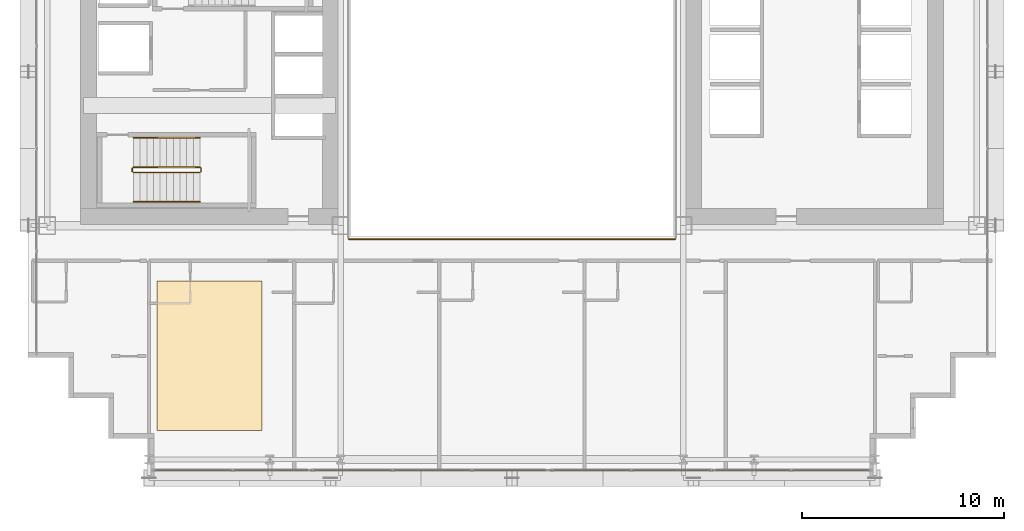
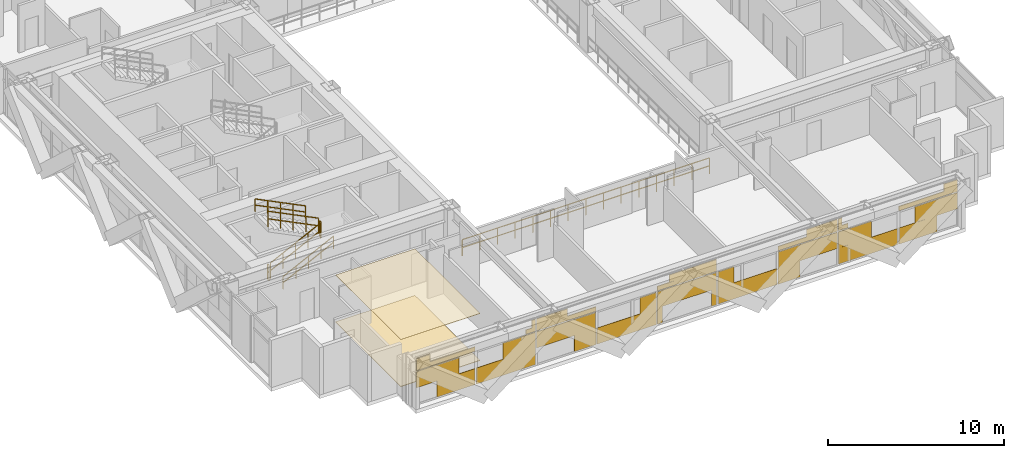
# One storey, part 32 of 35: 7 railings, 3 coverings.
"""IFC4 building model written with IfcOpenShell, lengths in metres."""

import ifcopenshell
import ifcopenshell.guid

model = None  # the IFC model being written
_history = None  # IfcOwnerHistory: only IFC2X3 demands one
_inside = {}  # id of a spatial element -> (the spatial element, [elements in it])
_under = {}  # id of a project, library or spatial element -> (it, [spatial elements below it])
_declared = {}  # id of a project -> (the project, [libraries it declares])
_typed = {}  # id of a type object -> (the type object, [elements of that type])
_made_of = {}  # id of a material, layer set ... -> (it, [elements and type objects made of it])


def new_model(schema):
    """Start an empty IFC model of exactly this schema.

    Asked for "IFC4X3", IfcOpenShell would pick the latest addendum, in which some entities
    have other attributes; the version numbers below select the first issue.
    IFC2X3 requires an IfcOwnerHistory on every rooted entity: one is made here for all.
    """
    global model, _history
    if schema == "IFC4X3":
        model = ifcopenshell.file(schema_version=(4, 3, 0, 0))
    else:
        model = ifcopenshell.file(schema=schema)
    _inside.clear()
    _under.clear()
    _declared.clear()
    _typed.clear()
    _made_of.clear()
    _history = None
    if model.schema == "IFC2X3":
        org = make("IfcOrganization", Name="unknown")
        user = make(
            "IfcPersonAndOrganization",
            ThePerson=make("IfcPerson", FamilyName="unknown"),
            TheOrganization=org,
        )
        app = make(
            "IfcApplication",
            ApplicationDeveloper=org,
            Version="unknown",
            ApplicationFullName="unknown",
            ApplicationIdentifier="unknown",
        )
        _history = make(
            "IfcOwnerHistory",
            OwningUser=user,
            OwningApplication=app,
            ChangeAction="ADDED",
            CreationDate=0,
        )
    return model


def make(cls, **values):
    """One entity of the class cls with the attributes given. An attribute that is None is left unset."""
    return model.create_entity(
        cls, **{name: value for name, value in values.items() if value is not None}
    )


def rooted(cls, **values):
    """An entity with a GlobalId (a new one), such as an element, a storey or a relation."""
    return make(cls, GlobalId=ifcopenshell.guid.new(), OwnerHistory=_history, **values)


def si_unit(unit_type, name, prefix=None):
    """IfcSIUnit, for example si_unit("LENGTHUNIT", "METRE", prefix="MILLI")."""
    return make("IfcSIUnit", UnitType=unit_type, Prefix=prefix, Name=name)


def assignment(units):
    """IfcUnitAssignment: the units of a project."""
    return None if units is None else make("IfcUnitAssignment", Units=units)


def point(xyz):
    """IfcCartesianPoint."""
    return None if xyz is None else make("IfcCartesianPoint", Coordinates=xyz)


def direction(xyz):
    """IfcDirection."""
    return None if xyz is None else make("IfcDirection", DirectionRatios=xyz)


def frame(location, z_axis=None, x_axis=None):
    """IfcAxis2Placement3D, a coordinate frame: its origin and axes. An axis left out is left unset."""
    return make(
        "IfcAxis2Placement3D",
        Location=point(location),
        Axis=direction(z_axis),
        RefDirection=direction(x_axis),
    )


def frame_2d(location, x_axis=None):
    """IfcAxis2Placement2D, a coordinate frame in the plane: its origin and x axis."""
    return make(
        "IfcAxis2Placement2D", Location=point(location), RefDirection=direction(x_axis)
    )


def origin():
    """The frame at (0, 0, 0) with its axes left unset."""
    return frame((0.0, 0.0, 0.0))


def origin_2d():
    """The frame at (0, 0) in the plane with its x axis left unset."""
    return frame_2d((0.0, 0.0))


def place(relative_to, where):
    """IfcLocalPlacement: puts the frame where relative to a parent placement (None: the world)."""
    return make(
        "IfcLocalPlacement", PlacementRelTo=relative_to, RelativePlacement=where
    )


def context(
    kind, dimensions, precision=None, world=None, true_north=None, identifier=None
):
    """IfcGeometricRepresentationContext, for example the 3D "Model" context."""
    return make(
        "IfcGeometricRepresentationContext",
        ContextIdentifier=identifier,
        ContextType=kind,
        CoordinateSpaceDimension=dimensions,
        Precision=precision,
        WorldCoordinateSystem=world,
        TrueNorth=true_north,
    )


def subcontext(parent, identifier, kind, view, scale=None):
    """IfcGeometricRepresentationSubContext, for example "Body" below "Model"."""
    return make(
        "IfcGeometricRepresentationSubContext",
        ContextIdentifier=identifier,
        ContextType=kind,
        ParentContext=parent,
        TargetScale=scale,
        TargetView=view,
    )


def project(units=None, contexts=None):
    """IfcProject with its units and contexts."""
    return rooted(
        "IfcProject",
        Name="project",
        RepresentationContexts=contexts,
        UnitsInContext=assignment(units),
    )


def spatial(cls, under=None, at=None, **own):
    """A site, building, storey or space (cls), placed at a placement, below another one or the project."""
    s = rooted(cls, ObjectPlacement=at, **own)
    if under is not None:
        _under.setdefault(under.id(), (under, []))[1].append(s)
    return s


def polyline(points):
    """IfcPolyline through the points."""
    return make("IfcPolyline", Points=[point(p) for p in points])


def profile(cls, at=None, kind="AREA", **sizes):
    """A parametric profile (cls). Its sizes go by their IFC names, for example OverallWidth=200.0."""
    return make(cls, ProfileType=kind, Position=at, **sizes)


def rectangle(**sizes):
    """IfcRectangleProfileDef."""
    return profile("IfcRectangleProfileDef", **sizes)


def outline(outer, holes=None, kind="AREA"):
    """IfcArbitraryClosedProfileDef: a profile drawn as a closed curve; with holes, ...WithVoids."""
    if holes is None:
        return make("IfcArbitraryClosedProfileDef", ProfileType=kind, OuterCurve=outer)
    return make(
        "IfcArbitraryProfileDefWithVoids",
        ProfileType=kind,
        OuterCurve=outer,
        InnerCurves=holes,
    )


def extrude(swept, where, along, depth):
    """IfcExtrudedAreaSolid: the profile swept, set in the frame where, extruded along a direction by depth."""
    return make(
        "IfcExtrudedAreaSolid",
        SweptArea=swept,
        Position=where,
        ExtrudedDirection=direction(along),
        Depth=depth,
    )


def shape(context_of_items, identifier, shape_type, items):
    """IfcShapeRepresentation: the items that make up one representation, for example the "Body"."""
    return make(
        "IfcShapeRepresentation",
        ContextOfItems=context_of_items,
        RepresentationIdentifier=identifier,
        RepresentationType=shape_type,
        Items=items,
    )


def material(Name=None, Category=None):
    """IfcMaterial."""
    return make("IfcMaterial", Name=Name, Category=Category)


def layer(
    of_material, thickness, ventilated=None, Name=None, Category=None, Priority=None
):
    """IfcMaterialLayer: one layer of a wall or slab, of a material (None: an air gap)."""
    return make(
        "IfcMaterialLayer",
        Material=of_material,
        LayerThickness=thickness,
        IsVentilated=ventilated,
        Name=Name,
        Category=Category,
        Priority=Priority,
    )


def layer_set(layers, Name=None):
    """IfcMaterialLayerSet."""
    return make("IfcMaterialLayerSet", MaterialLayers=layers, LayerSetName=Name)


def made_of(thing, what):
    """Note that an element or type object is made of a material, layer set ...; save() writes the relation."""
    if what is not None:
        _made_of.setdefault(what.id(), (what, []))[1].append(thing)
    return thing


def type_object(cls, material=None, **own):
    """A type object (cls), such as IfcWallType, which elements share."""
    return made_of(rooted(cls, **own), material)


def element(
    cls,
    number,
    at=None,
    inside=None,
    cuts=None,
    type_object=None,
    material=None,
    context=None,
    identifier="Body",
    shape_type=None,
    held_by="IfcProductDefinitionShape",
    body=None,
    shapes=None,
    **own,
):
    """One element of the class cls, such as IfcWall. Its Tag is "e" and its number.

    at: its placement. inside: the storey or other place that contains it. cuts: it is an
    opening in that element (IfcRelVoidsElement). A single representation is given by context,
    identifier, shape_type and body (its items); several are given by shapes. held_by: the class
    of the entity that holds the representations. save() writes the other relations.
    """
    e = rooted(cls, Tag="e%d" % number, ObjectPlacement=at, **own)
    if body is not None:
        shapes = [shape(context, identifier, shape_type, body)]
    if shapes is not None:
        e.Representation = make(held_by, Representations=shapes)
    if inside is not None:
        _inside.setdefault(inside.id(), (inside, []))[1].append(e)
    if cuts is not None:
        rooted(
            "IfcRelVoidsElement", RelatingBuildingElement=cuts, RelatedOpeningElement=e
        )
    if type_object is not None:
        _typed.setdefault(type_object.id(), (type_object, []))[1].append(e)
    return made_of(e, material)


def aggregate(whole, parts):
    """IfcRelAggregates: a whole, such as a stair, and the parts it consists of."""
    return rooted("IfcRelAggregates", RelatingObject=whole, RelatedObjects=parts)


def save(model, path):
    """Write the relations noted so far, then the file.

    IfcRelAggregates (storeys below a building ...), IfcRelContainedInSpatialStructure (elements
    in a storey), IfcRelDefinesByType, IfcRelAssociatesMaterial and IfcRelDeclares: one each for
    every whole, place, type object, material and project.
    """
    for whole, parts in _under.values():
        aggregate(whole, parts)
    for where, things in _inside.values():
        rooted(
            "IfcRelContainedInSpatialStructure",
            RelatedElements=things,
            RelatingStructure=where,
        )
    for kind, things in _typed.values():
        rooted("IfcRelDefinesByType", RelatedObjects=things, RelatingType=kind)
    for what, things in _made_of.values():
        rooted("IfcRelAssociatesMaterial", RelatedObjects=things, RelatingMaterial=what)
    for by, libraries in _declared.values():
        rooted("IfcRelDeclares", RelatingContext=by, RelatedDefinitions=libraries)
    model.write(path)


model = new_model("IFC4")

# Units and contexts
model_context = context("Model", 3, precision=1e-05, world=origin(), true_north=direction((0.0, 1.0)))
body_context = subcontext(model_context, "Body", "Model", "MODEL_VIEW")
ifc_project = project(units=[si_unit("LENGTHUNIT", "METRE"), si_unit("AREAUNIT", "SQUARE_METRE"), si_unit("VOLUMEUNIT", "CUBIC_METRE"), si_unit("PLANEANGLEUNIT", "RADIAN"), si_unit("MASSUNIT", "GRAM", prefix="KILO")], contexts=[model_context])

# Site, building, storey
site_placement = place(None, origin())
site = spatial("IfcSite", under=ifc_project, at=site_placement, CompositionType="ELEMENT")
building_placement = place(site_placement, origin())
building = spatial("IfcBuilding", under=site, at=building_placement, Name="Ocotamira Hotel", CompositionType="ELEMENT")
storey_placement = place(building_placement, frame((0.0, 0.0, 81.60009765625)))
storey = spatial("IfcBuildingStorey", under=building, at=storey_placement, Name="L20", CompositionType="ELEMENT", Elevation=81.60009765625)

# Coverings
ifc_material_1 = material(Name="Perforated acoustic gypsum ceiling board", Category="gypsum")
ifc_layer_1 = layer(ifc_material_1, 0.02490234375)
ifc_layer_set_1 = layer_set([ifc_layer_1], Name="Perforated acoustic gypsum ceiling board")
covering_type_1 = type_object("IfcCoveringType", Name="COV-CEIL-25", PredefinedType="CEILING", material=ifc_layer_set_1)
covering_1_placement = place(storey_placement, frame((0.0, 0.0, 3.2548828125)))
element("IfcCovering", 1, at=covering_1_placement, inside=storey, type_object=covering_type_1, Name="L20 Acoustic Ceiling", PredefinedType="CEILING", context=body_context, shape_type="SweptSolid", body=[
    extrude(outline(polyline([(14.39990234375, 4.39990234375), (19.60009765625, 4.39990234375), (19.60009765625, 11.800048828125), (14.39990234375, 11.800048828125), (14.39990234375, 4.39990234375)])), origin(), (0.0, 0.0, 1.0), 0.02490234375),
])
ifc_material_2 = material(Name="Honed desert travertine stone flooring", Category="masonry")
ifc_layer_2 = layer(ifc_material_2, 0.030029296875)
ifc_layer_set_2 = layer_set([ifc_layer_2], Name="Honed desert travertine stone flooring")
covering_type_2 = type_object("IfcCoveringType", Name="COV-FLOR-30", PredefinedType="FLOORING", material=ifc_layer_set_2)
covering_2_placement = place(storey_placement, origin())
element("IfcCovering", 2, at=covering_2_placement, inside=storey, type_object=covering_type_2, Name="L20 Honed Stone Floor Finish", PredefinedType="FLOORING", context=body_context, shape_type="SweptSolid", body=[
    extrude(outline(polyline([(14.39990234375, 4.39990234375), (19.60009765625, 4.39990234375), (19.60009765625, 11.800048828125), (14.39990234375, 11.800048828125), (14.39990234375, 4.39990234375)])), origin(), (0.0, 0.0, 1.0), 0.02978515625),
])
ifc_material_3 = material(Name="Insulated pale-metal aluminium spandrel panel", Category="aluminium")
ifc_layer_3 = layer(ifc_material_3, 0.044921875)
ifc_layer_set_3 = layer_set([ifc_layer_3], Name="Insulated pale-metal aluminium spandrel panel")
covering_type_3 = type_object("IfcCoveringType", Name="COV-INFILL-45", PredefinedType="CLADDING", material=ifc_layer_set_3)
covering_3_placement = place(storey_placement, origin())
element("IfcCovering", 3, at=covering_3_placement, inside=storey, type_object=covering_type_3, Name="L20 Curtain Wall Infill CW-2 CW-L20-S1", PredefinedType="CLADDING", context=body_context, shape_type="SweptSolid", body=[
    extrude(rectangle(XDim=2.788818359375, YDim=0.044921875, at=origin_2d()), frame((15.675048828125, 2.419921875, 1.194091796875), z_axis=(0.0, 0.0, 1.0), x_axis=(1.0, 0.0, 0.0)), (0.0, 0.0, 1.0), 1.11767578125),
    extrude(rectangle(XDim=2.502685546875, YDim=0.044921875, at=origin_2d()), frame((16.863525390625, 2.419921875, 0.0751953125), z_axis=(0.0, 0.0, 1.0), x_axis=(1.0, 0.0, 0.0)), (0.0, 0.0, 1.0), 1.117919921875),
    extrude(rectangle(XDim=3.834716796875, YDim=0.044921875, at=origin_2d()), frame((16.19775390625, 2.419921875, 2.3876953125), z_axis=(0.0, 0.0, 1.0), x_axis=(1.0, 0.0, 0.0)), (0.0, 0.0, 1.0), 0.302978515625),
    extrude(rectangle(XDim=0.8798828125, YDim=0.044921875, at=origin_2d()), frame((14.720458984375, 2.419921875, 2.691650390625), z_axis=(0.0, 0.0, 1.0), x_axis=(1.0, 0.0, 0.0)), (0.0, 0.0, 1.0), 0.5126953125),
    extrude(rectangle(XDim=3.87451171875, YDim=0.044921875, at=origin_2d()), frame((20.13330078125, 2.419921875, 0.0751953125), z_axis=(0.0, 0.0, 1.0), x_axis=(1.0, 0.0, 0.0)), (0.0, 0.0, 1.0), 1.117919921875),
    extrude(rectangle(XDim=2.139892578125, YDim=0.044921875, at=origin_2d()), frame((21.00048828125, 2.419921875, 1.194091796875), z_axis=(0.0, 0.0, 1.0), x_axis=(1.0, 0.0, 0.0)), (0.0, 0.0, 1.0), 1.11767578125),
    extrude(rectangle(XDim=0.618408203125, YDim=0.044921875, at=origin_2d()), frame((21.761474609375, 2.419921875, 2.3876953125), z_axis=(0.0, 0.0, 1.0), x_axis=(1.0, 0.0, 0.0)), (0.0, 0.0, 1.0), 0.302978515625),
    extrude(rectangle(XDim=0.23095703125, YDim=0.044921875, at=origin_2d()), frame((21.955078125, 2.419921875, 2.691650390625), z_axis=(0.0, 0.0, 1.0), x_axis=(1.0, 0.0, 0.0)), (0.0, 0.0, 1.0), 0.5126953125),
    extrude(rectangle(XDim=3.87451171875, YDim=0.044921875, at=origin_2d()), frame((24.0888671875, 2.419921875, 1.194091796875), z_axis=(0.0, 0.0, 1.0), x_axis=(1.0, 0.0, 0.0)), (0.0, 0.0, 1.0), 1.11767578125),
    extrude(rectangle(XDim=1.413818359375, YDim=0.044921875, at=origin_2d()), frame((25.319091796875, 2.419921875, 0.0751953125), z_axis=(0.0, 0.0, 1.0), x_axis=(1.0, 0.0, 0.0)), (0.0, 0.0, 1.0), 1.117919921875),
    extrude(rectangle(XDim=3.87451171875, YDim=0.044921875, at=origin_2d()), frame((24.0888671875, 2.419921875, 2.3876953125), z_axis=(0.0, 0.0, 1.0), x_axis=(1.0, 0.0, 0.0)), (0.0, 0.0, 1.0), 0.302978515625),
    extrude(rectangle(XDim=2.0087890625, YDim=0.044921875, at=origin_2d()), frame((23.156005859375, 2.419921875, 2.691650390625), z_axis=(0.0, 0.0, 1.0), x_axis=(1.0, 0.0, 0.0)), (0.0, 0.0, 1.0), 0.5126953125),
    extrude(rectangle(XDim=3.87451171875, YDim=0.044921875, at=origin_2d()), frame((28.04443359375, 2.419921875, 0.0751953125), z_axis=(0.0, 0.0, 1.0), x_axis=(1.0, 0.0, 0.0)), (0.0, 0.0, 1.0), 1.117919921875),
    extrude(rectangle(XDim=1.051025390625, YDim=0.044921875, at=origin_2d()), frame((29.4560546875, 2.419921875, 1.194091796875), z_axis=(0.0, 0.0, 1.0), x_axis=(1.0, 0.0, 0.0)), (0.0, 0.0, 1.0), 1.11767578125),
    extrude(rectangle(XDim=0.324951171875, YDim=0.044921875, at=origin_2d()), frame((30.22509765625, 2.419921875, 0.0751953125), z_axis=(0.0, 0.0, 1.0), x_axis=(1.0, 0.0, 0.0)), (0.0, 0.0, 1.0), 1.117919921875),
    extrude(rectangle(XDim=3.87451171875, YDim=0.044921875, at=origin_2d()), frame((32.0, 2.419921875, 1.194091796875), z_axis=(0.0, 0.0, 1.0), x_axis=(1.0, 0.0, 0.0)), (0.0, 0.0, 1.0), 1.11767578125),
    extrude(rectangle(XDim=0.324951171875, YDim=0.044921875, at=origin_2d()), frame((33.77490234375, 2.419921875, 0.0751953125), z_axis=(0.0, 0.0, 1.0), x_axis=(1.0, 0.0, 0.0)), (0.0, 0.0, 1.0), 1.117919921875),
    extrude(rectangle(XDim=3.87451171875, YDim=0.044921875, at=origin_2d()), frame((32.0, 2.419921875, 2.3876953125), z_axis=(0.0, 0.0, 1.0), x_axis=(1.0, 0.0, 0.0)), (0.0, 0.0, 1.0), 0.302978515625),
    extrude(rectangle(XDim=3.09765625, YDim=0.044921875, at=origin_2d()), frame((32.388427734375, 2.419921875, 2.691650390625), z_axis=(0.0, 0.0, 1.0), x_axis=(1.0, 0.0, 0.0)), (0.0, 0.0, 1.0), 0.5126953125),
    extrude(rectangle(XDim=3.87451171875, YDim=0.044921875, at=origin_2d()), frame((35.95556640625, 2.419921875, 0.0751953125), z_axis=(0.0, 0.0, 1.0), x_axis=(1.0, 0.0, 0.0)), (0.0, 0.0, 1.0), 1.117919921875),
    extrude(rectangle(XDim=1.051025390625, YDim=0.044921875, at=origin_2d()), frame((34.5439453125, 2.419921875, 1.194091796875), z_axis=(0.0, 0.0, 1.0), x_axis=(1.0, 0.0, 0.0)), (0.0, 0.0, 1.0), 1.11767578125),
    extrude(rectangle(XDim=1.413818359375, YDim=0.044921875, at=origin_2d()), frame((38.680908203125, 2.419921875, 0.0751953125), z_axis=(0.0, 0.0, 1.0), x_axis=(1.0, 0.0, 0.0)), (0.0, 0.0, 1.0), 1.117919921875),
    extrude(rectangle(XDim=3.87451171875, YDim=0.044921875, at=origin_2d()), frame((39.9111328125, 2.419921875, 1.194091796875), z_axis=(0.0, 0.0, 1.0), x_axis=(1.0, 0.0, 0.0)), (0.0, 0.0, 1.0), 1.11767578125),
    extrude(rectangle(XDim=3.87451171875, YDim=0.044921875, at=origin_2d()), frame((39.9111328125, 2.419921875, 2.3876953125), z_axis=(0.0, 0.0, 1.0), x_axis=(1.0, 0.0, 0.0)), (0.0, 0.0, 1.0), 0.302978515625),
    extrude(rectangle(XDim=2.0087890625, YDim=0.044921875, at=origin_2d()), frame((40.843994140625, 2.419921875, 2.691650390625), z_axis=(0.0, 0.0, 1.0), x_axis=(1.0, 0.0, 0.0)), (0.0, 0.0, 1.0), 0.5126953125),
    extrude(rectangle(XDim=3.87451171875, YDim=0.044921875, at=origin_2d()), frame((43.86669921875, 2.419921875, 0.0751953125), z_axis=(0.0, 0.0, 1.0), x_axis=(1.0, 0.0, 0.0)), (0.0, 0.0, 1.0), 1.117919921875),
    extrude(rectangle(XDim=2.139892578125, YDim=0.044921875, at=origin_2d()), frame((42.99951171875, 2.419921875, 1.194091796875), z_axis=(0.0, 0.0, 1.0), x_axis=(1.0, 0.0, 0.0)), (0.0, 0.0, 1.0), 1.11767578125),
    extrude(rectangle(XDim=0.618408203125, YDim=0.044921875, at=origin_2d()), frame((42.238525390625, 2.419921875, 2.3876953125), z_axis=(0.0, 0.0, 1.0), x_axis=(1.0, 0.0, 0.0)), (0.0, 0.0, 1.0), 0.302978515625),
    extrude(rectangle(XDim=0.23095703125, YDim=0.044921875, at=origin_2d()), frame((42.044921875, 2.419921875, 2.691650390625), z_axis=(0.0, 0.0, 1.0), x_axis=(1.0, 0.0, 0.0)), (0.0, 0.0, 1.0), 0.5126953125),
    extrude(rectangle(XDim=2.502685546875, YDim=0.044921875, at=origin_2d()), frame((47.136474609375, 2.419921875, 0.0751953125), z_axis=(0.0, 0.0, 1.0), x_axis=(1.0, 0.0, 0.0)), (0.0, 0.0, 1.0), 1.117919921875),
    extrude(rectangle(XDim=2.788818359375, YDim=0.044921875, at=origin_2d()), frame((48.324951171875, 2.419921875, 1.194091796875), z_axis=(0.0, 0.0, 1.0), x_axis=(1.0, 0.0, 0.0)), (0.0, 0.0, 1.0), 1.11767578125),
    extrude(rectangle(XDim=3.834716796875, YDim=0.044921875, at=origin_2d()), frame((47.80224609375, 2.419921875, 2.3876953125), z_axis=(0.0, 0.0, 1.0), x_axis=(1.0, 0.0, 0.0)), (0.0, 0.0, 1.0), 0.302978515625),
    extrude(rectangle(XDim=0.8798828125, YDim=0.044921875, at=origin_2d()), frame((49.279541015625, 2.419921875, 2.691650390625), z_axis=(0.0, 0.0, 1.0), x_axis=(1.0, 0.0, 0.0)), (0.0, 0.0, 1.0), 0.5126953125),
])

# Railings
ifc_material_4 = material(Name="Painted steel stair guardrail", Category="steel")
railing_type_1 = type_object("IfcRailingType", Name="RL-EDGE-1150", PredefinedType="GUARDRAIL", material=ifc_material_4)
railing_1_placement = place(storey_placement, frame((23.89990234375, 13.8798828125, 0.0)))
element("IfcRailing", 4, at=railing_1_placement, inside=storey, type_object=railing_type_1, Name="L20 Central Atrium Edge Guardrail S", PredefinedType="GUARDRAIL", context=body_context, shape_type="SweptSolid", body=[
    extrude(rectangle(XDim=0.048095703125, YDim=0.048095703125, at=origin_2d()), frame((0.0, 0.0, 1.1259765625), z_axis=(1.0, 0.0, 0.0), x_axis=(0.0, 1.0, 0.0)), (0.0, 0.0, 1.0), 16.2001953125),
    extrude(rectangle(XDim=0.048095703125, YDim=0.048095703125, at=origin_2d()), frame((0.0, 0.0, 0.574951171875), z_axis=(1.0, 0.0, 0.0), x_axis=(0.0, 1.0, 0.0)), (0.0, 0.0, 1.0), 16.2001953125),
    extrude(rectangle(XDim=0.0419921875, YDim=0.0419921875, at=origin_2d()), origin(), (0.0, 0.0, 1.0), 1.101806640625),
    extrude(rectangle(XDim=0.0419921875, YDim=0.0419921875, at=origin_2d()), frame((1.1572265625, 0.0, 0.0)), (0.0, 0.0, 1.0), 1.101806640625),
    extrude(rectangle(XDim=0.0419921875, YDim=0.0419921875, at=origin_2d()), frame((2.314208984375, 0.0, 0.0)), (0.0, 0.0, 1.0), 1.101806640625),
    extrude(rectangle(XDim=0.0419921875, YDim=0.0419921875, at=origin_2d()), frame((3.471435546875, 0.0, 0.0)), (0.0, 0.0, 1.0), 1.101806640625),
    extrude(rectangle(XDim=0.0419921875, YDim=0.0419921875, at=origin_2d()), frame((4.628662109375, 0.0, 0.0)), (0.0, 0.0, 1.0), 1.101806640625),
    extrude(rectangle(XDim=0.0419921875, YDim=0.0419921875, at=origin_2d()), frame((5.785888671875, 0.0, 0.0)), (0.0, 0.0, 1.0), 1.101806640625),
    extrude(rectangle(XDim=0.0419921875, YDim=0.0419921875, at=origin_2d()), frame((6.94287109375, 0.0, 0.0)), (0.0, 0.0, 1.0), 1.101806640625),
    extrude(rectangle(XDim=0.0419921875, YDim=0.0419921875, at=origin_2d()), frame((8.10009765625, 0.0, 0.0)), (0.0, 0.0, 1.0), 1.101806640625),
    extrude(rectangle(XDim=0.0419921875, YDim=0.0419921875, at=origin_2d()), frame((9.25732421875, 0.0, 0.0)), (0.0, 0.0, 1.0), 1.101806640625),
    extrude(rectangle(XDim=0.0419921875, YDim=0.0419921875, at=origin_2d()), frame((10.414306640625, 0.0, 0.0)), (0.0, 0.0, 1.0), 1.101806640625),
    extrude(rectangle(XDim=0.0419921875, YDim=0.0419921875, at=origin_2d()), frame((11.571533203125, 0.0, 0.0)), (0.0, 0.0, 1.0), 1.101806640625),
    extrude(rectangle(XDim=0.0419921875, YDim=0.0419921875, at=origin_2d()), frame((12.728759765625, 0.0, 0.0)), (0.0, 0.0, 1.0), 1.101806640625),
    extrude(rectangle(XDim=0.0419921875, YDim=0.0419921875, at=origin_2d()), frame((13.885986328125, 0.0, 0.0)), (0.0, 0.0, 1.0), 1.101806640625),
    extrude(rectangle(XDim=0.0419921875, YDim=0.0419921875, at=origin_2d()), frame((15.04296875, 0.0, 0.0)), (0.0, 0.0, 1.0), 1.101806640625),
    extrude(rectangle(XDim=0.0419921875, YDim=0.0419921875, at=origin_2d()), frame((16.2001953125, 0.0, 0.0)), (0.0, 0.0, 1.0), 1.101806640625),
])
ifc_material_5 = material(Name="Brushed stainless steel handrail", Category="steel")
railing_type_2 = type_object("IfcRailingType", Name="RL-HAND-900", PredefinedType="HANDRAIL", material=ifc_material_5)
railing_2_placement = place(storey_placement, frame((13.22998046875, 15.719970703125, 0.3271484375)))
element("IfcRailing", 5, at=railing_2_placement, inside=storey, type_object=railing_type_2, Name="L20 ST-1 stair handrail 1", PredefinedType="HANDRAIL", context=body_context, shape_type="SweptSolid", body=[
    extrude(rectangle(XDim=0.048095703125, YDim=0.048095703125, at=origin_2d()), frame((0.0, 0.0, 0.8759765625), z_axis=(0.895893744519, 0.0, 0.4442683857), x_axis=(0.0, 1.0, 0.0)), (0.0, 0.0, 1.0), 3.68359375),
    extrude(rectangle(XDim=0.048095703125, YDim=0.048095703125, at=origin_2d()), frame((0.0, 0.0, 0.449951171875), z_axis=(0.895893744519, 0.0, 0.4442683857), x_axis=(0.0, 1.0, 0.0)), (0.0, 0.0, 1.0), 3.68359375),
    extrude(rectangle(XDim=0.0419921875, YDim=0.0419921875, at=origin_2d()), origin(), (0.0, 0.0, 1.0), 0.851806640625),
    extrude(rectangle(XDim=0.0419921875, YDim=0.0419921875, at=origin_2d()), frame((0.824951171875, 0.0, 0.4091796875)), (0.0, 0.0, 1.0), 0.851806640625),
    extrude(rectangle(XDim=0.0419921875, YDim=0.0419921875, at=origin_2d()), frame((1.64990234375, 0.0, 0.818359375)), (0.0, 0.0, 1.0), 0.851806640625),
    extrude(rectangle(XDim=0.0419921875, YDim=0.0419921875, at=origin_2d()), frame((2.47509765625, 0.0, 1.227294921875)), (0.0, 0.0, 1.0), 0.851806640625),
    extrude(rectangle(XDim=0.0419921875, YDim=0.0419921875, at=origin_2d()), frame((3.300048828125, 0.0, 1.636474609375)), (0.0, 0.0, 1.0), 0.851806640625),
])
railing_3_placement = place(storey_placement, frame((16.530029296875, 18.89990234375, 2.127197265625)))
element("IfcRailing", 6, at=railing_3_placement, inside=storey, type_object=railing_type_2, Name="L20 ST-1 stair handrail 2", PredefinedType="HANDRAIL", context=body_context, shape_type="SweptSolid", body=[
    extrude(rectangle(XDim=0.048095703125, YDim=0.048095703125, at=origin_2d()), frame((0.0, 0.0, 0.8759765625), z_axis=(-0.895920123917, 0.0, 0.444215186098), x_axis=(0.0, -1.0, 0.0)), (0.0, 0.0, 1.0), 3.683349609375),
    extrude(rectangle(XDim=0.048095703125, YDim=0.048095703125, at=origin_2d()), frame((0.0, 0.0, 0.449951171875), z_axis=(-0.895920123917, 0.0, 0.444215186098), x_axis=(0.0, -1.0, 0.0)), (0.0, 0.0, 1.0), 3.683349609375),
    extrude(rectangle(XDim=0.0419921875, YDim=0.0419921875, at=origin_2d()), origin(), (0.0, 0.0, 1.0), 0.851806640625),
    extrude(rectangle(XDim=0.0419921875, YDim=0.0419921875, at=origin_2d()), frame((-0.824951171875, 0.0, 0.4091796875)), (0.0, 0.0, 1.0), 0.851806640625),
    extrude(rectangle(XDim=0.0419921875, YDim=0.0419921875, at=origin_2d()), frame((-1.64990234375, 0.0, 0.818115234375)), (0.0, 0.0, 1.0), 0.851806640625),
    extrude(rectangle(XDim=0.0419921875, YDim=0.0419921875, at=origin_2d()), frame((-2.47509765625, 0.0, 1.22705078125)), (0.0, 0.0, 1.0), 0.851806640625),
    extrude(rectangle(XDim=0.0419921875, YDim=0.0419921875, at=origin_2d()), frame((-3.300048828125, 0.0, 1.63623046875)), (0.0, 0.0, 1.0), 0.851806640625),
])
railing_type_3 = type_object("IfcRailingType", Name="RL-STAIR-1100", PredefinedType="GUARDRAIL", material=ifc_material_4)
railing_4_placement = place(storey_placement, frame((13.22998046875, 17.179931640625, 0.16357421875)))
element("IfcRailing", 7, at=railing_4_placement, inside=storey, type_object=railing_type_3, Name="L20 ST-1 stair guard 1", PredefinedType="GUARDRAIL", context=body_context, shape_type="SweptSolid", body=[
    extrude(rectangle(XDim=0.048095703125, YDim=0.048095703125, at=origin_2d()), frame((0.0, 0.0, 1.076171875), z_axis=(0.895920123917, 0.0, 0.444215186098), x_axis=(0.0, 1.0, 0.0)), (0.0, 0.0, 1.0), 3.683349609375),
    extrude(rectangle(XDim=0.048095703125, YDim=0.048095703125, at=origin_2d()), frame((0.0, 0.0, 0.550048828125), z_axis=(0.895920123917, 0.0, 0.444215186098), x_axis=(0.0, 1.0, 0.0)), (0.0, 0.0, 1.0), 3.683349609375),
    extrude(rectangle(XDim=0.0419921875, YDim=0.0419921875, at=origin_2d()), origin(), (0.0, 0.0, 1.0), 1.052001953125),
    extrude(rectangle(XDim=0.0419921875, YDim=0.0419921875, at=origin_2d()), frame((0.824951171875, 0.0, 0.4091796875)), (0.0, 0.0, 1.0), 1.052001953125),
    extrude(rectangle(XDim=0.0419921875, YDim=0.0419921875, at=origin_2d()), frame((1.64990234375, 0.0, 0.818115234375)), (0.0, 0.0, 1.0), 1.052001953125),
    extrude(rectangle(XDim=0.0419921875, YDim=0.0419921875, at=origin_2d()), frame((2.47509765625, 0.0, 1.22705078125)), (0.0, 0.0, 1.0), 1.052001953125),
    extrude(rectangle(XDim=0.0419921875, YDim=0.0419921875, at=origin_2d()), frame((3.300048828125, 0.0, 1.63623046875)), (0.0, 0.0, 1.0), 1.052001953125),
])
railing_5_placement = place(storey_placement, frame((16.580078125, 17.22998046875, 1.7998046875)))
element("IfcRailing", 8, at=railing_5_placement, inside=storey, type_object=railing_type_3, Name="L20 ST-1 stair guard 2", PredefinedType="GUARDRAIL", context=body_context, shape_type="SweptSolid", body=[
    extrude(rectangle(XDim=0.048095703125, YDim=0.048095703125, at=origin_2d()), frame((0.0, 0.0, 1.076171875), z_axis=(0.0, 1.0, 0.0), x_axis=(-1.0, 0.0, 0.0)), (0.0, 0.0, 1.0), 0.159912109375),
    extrude(rectangle(XDim=0.048095703125, YDim=0.048095703125, at=origin_2d()), frame((0.0, 0.0, 0.550048828125), z_axis=(0.0, 1.0, 0.0), x_axis=(-1.0, 0.0, 0.0)), (0.0, 0.0, 1.0), 0.159912109375),
    extrude(rectangle(XDim=0.0419921875, YDim=0.0419921875, at=origin_2d()), origin(), (0.0, 0.0, 1.0), 1.052001953125),
    extrude(rectangle(XDim=0.0419921875, YDim=0.0419921875, at=origin_2d()), frame((0.0, 0.159912109375, 0.0)), (0.0, 0.0, 1.0), 1.052001953125),
])
railing_6_placement = place(storey_placement, frame((16.530029296875, 17.43994140625, 1.963623046875)))
element("IfcRailing", 9, at=railing_6_placement, inside=storey, type_object=railing_type_3, Name="L20 ST-1 stair guard 3", PredefinedType="GUARDRAIL", context=body_context, shape_type="SweptSolid", body=[
    extrude(rectangle(XDim=0.048095703125, YDim=0.048095703125, at=origin_2d()), frame((0.0, 0.0, 1.076171875), z_axis=(-0.895920123917, 0.0, 0.444215186098), x_axis=(0.0, -1.0, 0.0)), (0.0, 0.0, 1.0), 3.683349609375),
    extrude(rectangle(XDim=0.048095703125, YDim=0.048095703125, at=origin_2d()), frame((0.0, 0.0, 0.550048828125), z_axis=(-0.895920123917, 0.0, 0.444215186098), x_axis=(0.0, -1.0, 0.0)), (0.0, 0.0, 1.0), 3.683349609375),
    extrude(rectangle(XDim=0.0419921875, YDim=0.0419921875, at=origin_2d()), origin(), (0.0, 0.0, 1.0), 1.052001953125),
    extrude(rectangle(XDim=0.0419921875, YDim=0.0419921875, at=origin_2d()), frame((-0.824951171875, 0.0, 0.4091796875)), (0.0, 0.0, 1.0), 1.052001953125),
    extrude(rectangle(XDim=0.0419921875, YDim=0.0419921875, at=origin_2d()), frame((-1.64990234375, 0.0, 0.818115234375)), (0.0, 0.0, 1.0), 1.052001953125),
    extrude(rectangle(XDim=0.0419921875, YDim=0.0419921875, at=origin_2d()), frame((-2.47509765625, 0.0, 1.22705078125)), (0.0, 0.0, 1.0), 1.052001953125),
    extrude(rectangle(XDim=0.0419921875, YDim=0.0419921875, at=origin_2d()), frame((-3.300048828125, 0.0, 1.63623046875)), (0.0, 0.0, 1.0), 1.052001953125),
])
railing_7_placement = place(storey_placement, frame((13.179931640625, 17.22998046875, 0.0)))
element("IfcRailing", 10, at=railing_7_placement, inside=storey, type_object=railing_type_3, Name="L20 ST-1 stair guard 4", PredefinedType="GUARDRAIL", context=body_context, shape_type="SweptSolid", body=[
    extrude(rectangle(XDim=0.048095703125, YDim=0.048095703125, at=origin_2d()), frame((0.0, 0.0, 1.076171875), z_axis=(0.0, 1.0, 0.0), x_axis=(-1.0, 0.0, 0.0)), (0.0, 0.0, 1.0), 0.159912109375),
    extrude(rectangle(XDim=0.048095703125, YDim=0.048095703125, at=origin_2d()), frame((0.0, 0.0, 0.550048828125), z_axis=(0.0, 1.0, 0.0), x_axis=(-1.0, 0.0, 0.0)), (0.0, 0.0, 1.0), 0.159912109375),
    extrude(rectangle(XDim=0.0419921875, YDim=0.0419921875, at=origin_2d()), origin(), (0.0, 0.0, 1.0), 1.052001953125),
    extrude(rectangle(XDim=0.0419921875, YDim=0.0419921875, at=origin_2d()), frame((0.0, 0.159912109375, 0.0)), (0.0, 0.0, 1.0), 1.052001953125),
])

save(model, "model.ifc")
